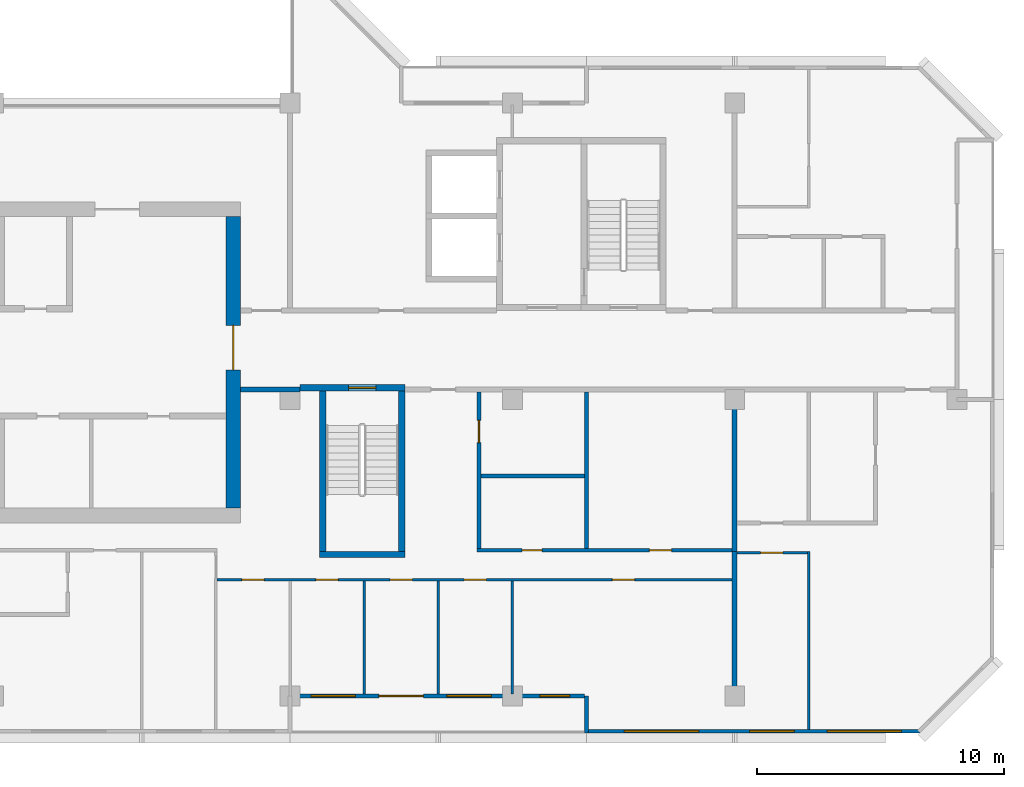
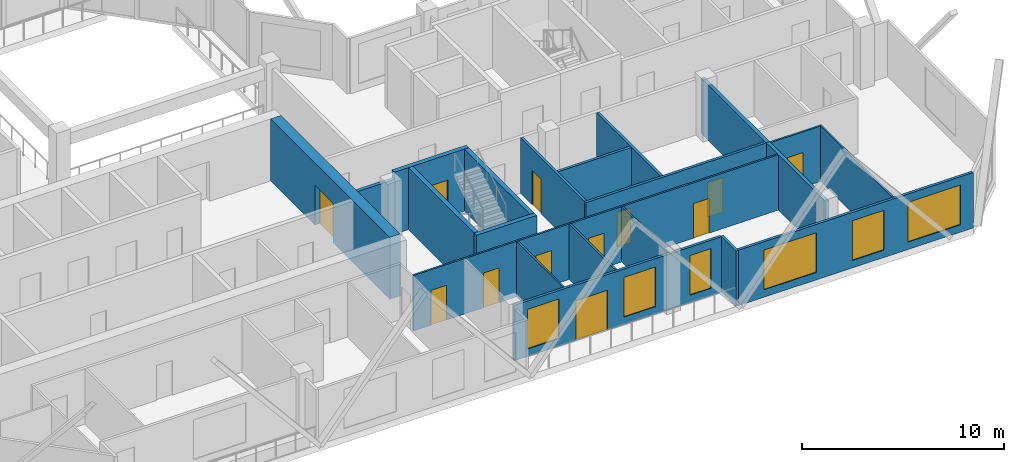
# One storey, part 6 of 13: 21 walls, 12 doors, 6 windows, 18 openings.
"""IFC4 building model written with IfcOpenShell, lengths in metres."""

from ifc_helpers import new_model, si_unit, direction, frame, frame_2d, origin, place, context, subcontext, project, spatial, rectangle, extrude, material, layer, layer_set, type_object, element, fill, save


model = new_model("IFC4")

# Units and contexts
model_context = context("Model", 3, precision=1e-05, world=origin(), true_north=direction((0.0, 1.0)))
body_context = subcontext(model_context, "Body", "Model", "MODEL_VIEW")
ifc_project = project(units=[si_unit("LENGTHUNIT", "METRE"), si_unit("AREAUNIT", "SQUARE_METRE"), si_unit("VOLUMEUNIT", "CUBIC_METRE"), si_unit("PLANEANGLEUNIT", "RADIAN"), si_unit("MASSUNIT", "GRAM", prefix="KILO")], contexts=[model_context])

# Site, building, storey
site_placement = place(None, origin())
site = spatial("IfcSite", under=ifc_project, at=site_placement, CompositionType="ELEMENT")
building_placement = place(site_placement, origin())
building = spatial("IfcBuilding", under=site, at=building_placement, Name="Chenar Terraces", CompositionType="ELEMENT")
storey_placement = place(building_placement, frame((0.0, 0.0, 295.89990234375)))
storey = spatial("IfcBuildingStorey", under=building, at=storey_placement, Name="L69", CompositionType="ELEMENT", Elevation=295.89990234375)

# Wall
ifc_material_1 = material(Name="Concrete C50/60", Category="concrete")
ifc_layer_1 = layer(ifc_material_1, 0.25)
ifc_layer_set_1 = layer_set([ifc_layer_1], Name="Concrete C50/60")
wall_type_1 = type_object("IfcWallType", Name="Core wall 250 Concrete C50/60", PredefinedType="SHEAR", material=ifc_layer_set_1)
wall_1_placement = place(storey_placement, frame((37.199951171875, 5.72509765625, 0.0), z_axis=(0.0, 0.0, 1.0), x_axis=(1.0, 0.0, 0.0)))
element("IfcWall", 1, at=wall_1_placement, inside=storey, type_object=wall_type_1, Name="Core wall ST2_S L69", PredefinedType="SHEAR", context=body_context, shape_type="SweptSolid", body=[
    extrude(rectangle(XDim=3.449951171875, YDim=0.25, at=frame_2d((1.72509765625, 0.0))), origin(), (0.0, 0.0, 1.0), 3.75),
])

# Wall, opening, door
wall_2_placement = place(storey_placement, frame((36.39990234375, 12.47509765625, 0.0), z_axis=(0.0, 0.0, 1.0), x_axis=(1.0, 0.0, 0.0)))
wall_2 = element("IfcWall", 2, at=wall_2_placement, inside=storey, type_object=wall_type_1, Name="Core wall ST2_N L69", PredefinedType="SHEAR", context=body_context, shape_type="SweptSolid", body=[
    extrude(rectangle(XDim=4.25, YDim=0.25, at=frame_2d((2.125, 0.0))), origin(), (0.0, 0.0, 1.0), 3.75),
])
opening_1_placement = place(wall_2_placement, frame((1.97509765625, 0.0, 0.0)))
opening_1 = element("IfcOpeningElement", 3, at=opening_1_placement, cuts=wall_2, Name="Opening DL69-C7", PredefinedType="OPENING", context=body_context, shape_type="SweptSolid", body=[
    extrude(rectangle(XDim=1.10009765625, YDim=2.199951171875, at=frame_2d((0.550048828125, 1.10009765625))), frame((0.0, 0.135009765625, 0.0), z_axis=(0.0, -1.0, 0.0), x_axis=(1.0, 0.0, 0.0)), (0.0, 0.0, 1.0), 0.27001953125),
])
ifc_material_2 = material(Name="Steel-framed fire-resisting door leaf", Category="steel")
door_type_1 = type_object("IfcDoorType", Name="Stair fire door FD60 1100 x 2200", OperationType="SINGLE_SWING_LEFT", PredefinedType="DOOR", material=ifc_material_2)
door_1_placement = place(opening_1_placement, frame((1.10009765625, 0.0, 0.0), z_axis=(0.0, 0.0, 1.0), x_axis=(-1.0, 0.0, 0.0)))
door_1 = element("IfcDoor", 4, at=door_1_placement, inside=storey, type_object=door_type_1, Name="Stair door DL69-C7", OperationType="SINGLE_SWING_LEFT", OverallHeight=2.199951171875, OverallWidth=1.10009765625, PredefinedType="DOOR", context=body_context, shape_type="SweptSolid", body=[
    extrude(rectangle(XDim=1.10009765625, YDim=2.199951171875, at=frame_2d((0.550048828125, 1.10009765625))), frame((0.0, 0.02490234375, 0.0), z_axis=(0.0, -1.0, 0.0), x_axis=(1.0, 0.0, 0.0)), (0.0, 0.0, 1.0), 0.050048828125),
])
fill(opening_1, door_1)

# Walls
for number, where, z_axis, x_axis, name in (
    (5, (37.324951171875, 5.85009765625, 0.0), (0.0, 0.0, 1.0), (0.0, 1.0, 0.0), "Core wall ST2_W L69"),
    (6, (40.52490234375, 5.85009765625, 0.0), (0.0, 0.0, 1.0), (0.0, 1.0, 0.0), "Core wall ST2_E L69"),
):
    element("IfcWall", number, at=place(storey_placement, frame(where, z_axis=z_axis, x_axis=x_axis)), inside=storey, type_object=wall_type_1, Name=name, PredefinedType="SHEAR", context=body_context, shape_type="SweptSolid", body=[
        extrude(rectangle(XDim=6.5, YDim=0.25, at=frame_2d((3.25, 0.0))), origin(), (0.0, 0.0, 1.0), 3.75),
    ])

# Wall, opening, door
ifc_material_3 = material(Name="Concrete C50/60", Category="concrete")
ifc_layer_2 = layer(ifc_material_3, 0.60009765625)
ifc_layer_set_2 = layer_set([ifc_layer_2], Name="Concrete C50/60")
wall_type_2 = type_object("IfcWallType", Name="Core wall 600 Concrete C50/60", PredefinedType="SHEAR", material=ifc_layer_set_2)
wall_3_placement = place(storey_placement, frame((33.699951171875, 7.60009765625, 0.0), z_axis=(0.0, 0.0, 1.0), x_axis=(0.0, 1.0, 0.0)))
wall_3 = element("IfcWall", 7, at=wall_3_placement, inside=storey, type_object=wall_type_2, Name="Core wall E L69", PredefinedType="SHEAR", context=body_context, shape_type="SweptSolid", body=[
    extrude(rectangle(XDim=11.7998046875, YDim=0.60009765625, at=frame_2d((5.89990234375, 0.0))), origin(), (0.0, 0.0, 1.0), 3.75),
])
opening_2_placement = place(wall_3_placement, frame((5.60009765625, 0.0, 0.0)))
opening_2 = element("IfcOpeningElement", 8, at=opening_2_placement, cuts=wall_3, Name="Opening DL69-C1", PredefinedType="OPENING", context=body_context, shape_type="SweptSolid", body=[
    extrude(rectangle(XDim=1.800048828125, YDim=2.39990234375, at=frame_2d((0.89990234375, 1.199951171875))), frame((0.0, 0.31005859375, 0.0), z_axis=(0.0, -1.0, 0.0), x_axis=(1.0, 0.0, 0.0)), (0.0, 0.0, 1.0), 0.6201171875),
])
ifc_material_4 = material(Name="Steel-framed fire-resisting door leaf", Category="steel")
door_type_2 = type_object("IfcDoorType", Name="Core entrance double fire door FD60 1800 x 2400", OperationType="DOUBLE_DOOR_SINGLE_SWING", PredefinedType="DOOR", material=ifc_material_4)
door_2_placement = place(opening_2_placement, origin())
door_2 = element("IfcDoor", 9, at=door_2_placement, inside=storey, type_object=door_type_2, Name="Core door DL69-C1", OperationType="DOUBLE_DOOR_SINGLE_SWING", OverallHeight=2.39990234375, OverallWidth=1.800048828125, PredefinedType="DOOR", context=body_context, shape_type="SweptSolid", body=[
    extrude(rectangle(XDim=1.800048828125, YDim=2.39990234375, at=frame_2d((0.89990234375, 1.199951171875))), frame((0.0, 0.02490234375, 0.0), z_axis=(0.0, -1.0, 0.0), x_axis=(1.0, 0.0, 0.0)), (0.0, 0.0, 1.0), 0.050048828125),
])
fill(opening_2, door_2)

# Wall
ifc_material_5 = material(Name="Gypsum board on steel studs with fire boards", Category="steel")
ifc_layer_3 = layer(ifc_material_5, 0.199951171875)
ifc_layer_set_3 = layer_set([ifc_layer_3], Name="Gypsum board on steel studs with fire boards")
wall_type_3 = type_object("IfcWallType", Name="Corridor wall 200", PredefinedType="PARTITIONING", material=ifc_layer_set_3)
wall_4_placement = place(storey_placement, frame((34.0, 12.39990234375, 0.0), z_axis=(0.0, 0.0, 1.0), x_axis=(1.0, 0.0, 0.0)))
element("IfcWall", 10, at=wall_4_placement, inside=storey, type_object=wall_type_3, Name="Partition L69-051", PredefinedType="PARTITIONING", context=body_context, shape_type="SweptSolid", body=[
    extrude(rectangle(XDim=2.40087890625, YDim=0.199951171875, at=frame_2d((1.200439453125, 0.0))), origin(), (0.0, 0.0, 1.0), 3.35009765625),
])

# Wall, openings, windows
ifc_material_6 = material(Name="Aluminium framed glazing", Category="aluminium")
ifc_layer_4 = layer(ifc_material_6, 0.14990234375)
ifc_layer_set_4 = layer_set([ifc_layer_4], Name="Aluminium framed glazing")
wall_type_4 = type_object("IfcWallType", Name="Glazed flush facade wall 150", PredefinedType="SOLIDWALL", material=ifc_layer_set_4)
wall_5_placement = place(storey_placement, frame((48.074951171875, -1.425048828125, 0.0), z_axis=(0.0, 0.0, 1.0), x_axis=(1.0, 0.0, 0.0)))
wall_5 = element("IfcWall", 11, at=wall_5_placement, inside=storey, type_object=wall_type_4, Name="Glazed flush facade wall", PredefinedType="SOLIDWALL", context=body_context, shape_type="SweptSolid", body=[
    extrude(rectangle(XDim=13.425048828125, YDim=0.14990234375, at=frame_2d((6.71240234375, 0.0))), origin(), (0.0, 0.0, 1.0), 3.35009765625),
])
opening_3_placement = place(wall_5_placement, frame((1.46240234375, 0.0, 0.449951171875)))
opening_3 = element("IfcOpeningElement", 12, at=opening_3_placement, cuts=wall_5, Name="Opening W300x240", PredefinedType="OPENING", context=body_context, shape_type="SweptSolid", body=[
    extrude(rectangle(XDim=3.0, YDim=2.39990234375, at=frame_2d((1.5, 1.199951171875))), frame((0.0, 0.0849609375, 0.0), z_axis=(0.0, -1.0, 0.0), x_axis=(1.0, 0.0, 0.0)), (0.0, 0.0, 1.0), 0.169921875),
])
opening_4_placement = place(wall_5_placement, frame((6.52490234375, 0.0, 0.449951171875)))
opening_4 = element("IfcOpeningElement", 13, at=opening_4_placement, cuts=wall_5, Name="Opening W180x240", PredefinedType="OPENING", context=body_context, shape_type="SweptSolid", body=[
    extrude(rectangle(XDim=1.800048828125, YDim=2.39990234375, at=frame_2d((0.89990234375, 1.199951171875))), frame((0.0, 0.0849609375, 0.0), z_axis=(0.0, -1.0, 0.0), x_axis=(1.0, 0.0, 0.0)), (0.0, 0.0, 1.0), 0.169921875),
])
opening_5_placement = place(wall_5_placement, frame((9.675048828125, 0.0, 0.449951171875)))
opening_5 = element("IfcOpeningElement", 14, at=opening_5_placement, cuts=wall_5, Name="Opening W300x240", PredefinedType="OPENING", context=body_context, shape_type="SweptSolid", body=[
    extrude(rectangle(XDim=3.0, YDim=2.39990234375, at=frame_2d((1.5, 1.199951171875))), frame((0.0, 0.0849609375, 0.0), z_axis=(0.0, -1.0, 0.0), x_axis=(1.0, 0.0, 0.0)), (0.0, 0.0, 1.0), 0.169921875),
])
ifc_material_7 = material(Name="Low emissivity double glazing, aluminium frame", Category="aluminium")
window_type_1 = type_object("IfcWindowType", Name="Fixed light 1800 x 2400", PartitioningType="SINGLE_PANEL", PredefinedType="WINDOW", material=ifc_material_7)
window_1_placement = place(opening_4_placement, origin())
window_1 = element("IfcWindow", 15, at=window_1_placement, inside=storey, type_object=window_type_1, Name="Window", OverallHeight=2.39990234375, OverallWidth=1.800048828125, PartitioningType="SINGLE_PANEL", PredefinedType="WINDOW", context=body_context, shape_type="SweptSolid", body=[
    extrude(rectangle(XDim=1.800048828125, YDim=2.39990234375, at=frame_2d((0.89990234375, 1.199951171875))), frame((0.0, 0.030029296875, 0.0), z_axis=(0.0, -1.0, 0.0), x_axis=(1.0, 0.0, 0.0)), (0.0, 0.0, 1.0), 0.06005859375),
])
fill(opening_4, window_1)
ifc_material_8 = material(Name="Low emissivity double glazing, aluminium frame", Category="aluminium")
window_type_2 = type_object("IfcWindowType", Name="Fixed light 3000 x 2400", PartitioningType="SINGLE_PANEL", PredefinedType="WINDOW", material=ifc_material_8)
window_2_placement = place(opening_3_placement, origin())
window_2 = element("IfcWindow", 16, at=window_2_placement, inside=storey, type_object=window_type_2, Name="Window", OverallHeight=2.39990234375, OverallWidth=3.0, PartitioningType="SINGLE_PANEL", PredefinedType="WINDOW", context=body_context, shape_type="SweptSolid", body=[
    extrude(rectangle(XDim=3.0, YDim=2.39990234375, at=frame_2d((1.5, 1.199951171875))), frame((0.0, 0.030029296875, 0.0), z_axis=(0.0, -1.0, 0.0), x_axis=(1.0, 0.0, 0.0)), (0.0, 0.0, 1.0), 0.06005859375),
])
fill(opening_3, window_2)
window_3_placement = place(opening_5_placement, origin())
window_3 = element("IfcWindow", 17, at=window_3_placement, inside=storey, type_object=window_type_2, Name="Window", OverallHeight=2.39990234375, OverallWidth=3.0, PartitioningType="SINGLE_PANEL", PredefinedType="WINDOW", context=body_context, shape_type="SweptSolid", body=[
    extrude(rectangle(XDim=3.0, YDim=2.39990234375, at=frame_2d((1.5, 1.199951171875))), frame((0.0, 0.030029296875, 0.0), z_axis=(0.0, -1.0, 0.0), x_axis=(1.0, 0.0, 0.0)), (0.0, 0.0, 1.0), 0.06005859375),
])
fill(opening_5, window_3)

# Wall, openings, windows, door
ifc_material_9 = material(Name="Aluminium framed glazing", Category="aluminium")
ifc_layer_5 = layer(ifc_material_9, 0.14990234375)
ifc_layer_set_5 = layer_set([ifc_layer_5], Name="Aluminium framed glazing")
wall_type_5 = type_object("IfcWallType", Name="Glazed loggia back wall 150", PredefinedType="SOLIDWALL", material=ifc_layer_set_5)
wall_6_placement = place(storey_placement, frame((36.074951171875, 0.0, 0.0), z_axis=(0.0, 0.0, 1.0), x_axis=(1.0, 0.0, 0.0)))
wall_6 = element("IfcWall", 18, at=wall_6_placement, inside=storey, type_object=wall_type_5, Name="Glazed loggia back wall", PredefinedType="SOLIDWALL", context=body_context, shape_type="SweptSolid", body=[
    extrude(rectangle(XDim=11.85009765625, YDim=0.14990234375, at=frame_2d((5.925048828125, 0.0))), origin(), (0.0, 0.0, 1.0), 3.35009765625),
])
opening_6_placement = place(wall_6_placement, frame((0.77490234375, 0.0, 0.449951171875)))
opening_6 = element("IfcOpeningElement", 19, at=opening_6_placement, cuts=wall_6, Name="Opening W180x240", PredefinedType="OPENING", context=body_context, shape_type="SweptSolid", body=[
    extrude(rectangle(XDim=1.800048828125, YDim=2.39990234375, at=frame_2d((0.89990234375, 1.199951171875))), frame((0.0, 0.0849609375, 0.0), z_axis=(0.0, -1.0, 0.0), x_axis=(1.0, 0.0, 0.0)), (0.0, 0.0, 1.0), 0.169921875),
])
opening_7_placement = place(wall_6_placement, frame((3.52490234375, 0.0, 0.0)))
opening_7 = element("IfcOpeningElement", 20, at=opening_7_placement, cuts=wall_6, Name="Opening DL69-G5", PredefinedType="OPENING", context=body_context, shape_type="SweptSolid", body=[
    extrude(rectangle(XDim=1.800048828125, YDim=2.39990234375, at=frame_2d((0.89990234375, 1.199951171875))), frame((0.0, 0.0849609375, 0.0), z_axis=(0.0, -1.0, 0.0), x_axis=(1.0, 0.0, 0.0)), (0.0, 0.0, 1.0), 0.169921875),
])
opening_8_placement = place(wall_6_placement, frame((6.27490234375, 0.0, 0.449951171875)))
opening_8 = element("IfcOpeningElement", 21, at=opening_8_placement, cuts=wall_6, Name="Opening W180x240", PredefinedType="OPENING", context=body_context, shape_type="SweptSolid", body=[
    extrude(rectangle(XDim=1.800048828125, YDim=2.39990234375, at=frame_2d((0.89990234375, 1.199951171875))), frame((0.0, 0.0849609375, 0.0), z_axis=(0.0, -1.0, 0.0), x_axis=(1.0, 0.0, 0.0)), (0.0, 0.0, 1.0), 0.169921875),
])
opening_9_placement = place(wall_6_placement, frame((10.03759765625, 0.0, 0.449951171875)))
opening_9 = element("IfcOpeningElement", 22, at=opening_9_placement, cuts=wall_6, Name="Opening W120x240", PredefinedType="OPENING", context=body_context, shape_type="SweptSolid", body=[
    extrude(rectangle(XDim=1.199951171875, YDim=2.39990234375, at=frame_2d((0.60009765625, 1.199951171875))), frame((0.0, 0.0849609375, 0.0), z_axis=(0.0, -1.0, 0.0), x_axis=(1.0, 0.0, 0.0)), (0.0, 0.0, 1.0), 0.169921875),
])
ifc_material_10 = material(Name="Low emissivity double glazing, aluminium frame", Category="aluminium")
window_type_3 = type_object("IfcWindowType", Name="Fixed light 1200 x 2400", PartitioningType="SINGLE_PANEL", PredefinedType="WINDOW", material=ifc_material_10)
window_4_placement = place(opening_9_placement, origin())
window_4 = element("IfcWindow", 23, at=window_4_placement, inside=storey, type_object=window_type_3, Name="Window", OverallHeight=2.39990234375, OverallWidth=1.199951171875, PartitioningType="SINGLE_PANEL", PredefinedType="WINDOW", context=body_context, shape_type="SweptSolid", body=[
    extrude(rectangle(XDim=1.199951171875, YDim=2.39990234375, at=frame_2d((0.60009765625, 1.199951171875))), frame((0.0, 0.030029296875, 0.0), z_axis=(0.0, -1.0, 0.0), x_axis=(1.0, 0.0, 0.0)), (0.0, 0.0, 1.0), 0.06005859375),
])
fill(opening_9, window_4)
window_5_placement = place(opening_6_placement, origin())
window_5 = element("IfcWindow", 24, at=window_5_placement, inside=storey, type_object=window_type_1, Name="Window", OverallHeight=2.39990234375, OverallWidth=1.800048828125, PartitioningType="SINGLE_PANEL", PredefinedType="WINDOW", context=body_context, shape_type="SweptSolid", body=[
    extrude(rectangle(XDim=1.800048828125, YDim=2.39990234375, at=frame_2d((0.89990234375, 1.199951171875))), frame((0.0, 0.030029296875, 0.0), z_axis=(0.0, -1.0, 0.0), x_axis=(1.0, 0.0, 0.0)), (0.0, 0.0, 1.0), 0.06005859375),
])
fill(opening_6, window_5)
window_6_placement = place(opening_8_placement, origin())
window_6 = element("IfcWindow", 25, at=window_6_placement, inside=storey, type_object=window_type_1, Name="Window", OverallHeight=2.39990234375, OverallWidth=1.800048828125, PartitioningType="SINGLE_PANEL", PredefinedType="WINDOW", context=body_context, shape_type="SweptSolid", body=[
    extrude(rectangle(XDim=1.800048828125, YDim=2.39990234375, at=frame_2d((0.89990234375, 1.199951171875))), frame((0.0, 0.030029296875, 0.0), z_axis=(0.0, -1.0, 0.0), x_axis=(1.0, 0.0, 0.0)), (0.0, 0.0, 1.0), 0.06005859375),
])
fill(opening_8, window_6)
ifc_material_11 = material(Name="Low emissivity double glazing, aluminium frame", Category="aluminium")
door_type_3 = type_object("IfcDoorType", Name="Loggia glazed double door 1800 x 2400", OperationType="DOUBLE_DOOR_SINGLE_SWING", PredefinedType="DOOR", material=ifc_material_11)
door_3_placement = place(opening_7_placement, frame((1.800048828125, 0.0, 0.0), z_axis=(0.0, 0.0, 1.0), x_axis=(-1.0, 0.0, 0.0)))
door_3 = element("IfcDoor", 26, at=door_3_placement, inside=storey, type_object=door_type_3, Name="Loggia glazed door", OperationType="DOUBLE_DOOR_SINGLE_SWING", OverallHeight=2.39990234375, OverallWidth=1.800048828125, PredefinedType="DOOR", context=body_context, shape_type="SweptSolid", body=[
    extrude(rectangle(XDim=1.800048828125, YDim=2.39990234375, at=frame_2d((0.89990234375, 1.199951171875))), frame((0.0, 0.02490234375, 0.0), z_axis=(0.0, -1.0, 0.0), x_axis=(1.0, 0.0, 0.0)), (0.0, 0.0, 1.0), 0.050048828125),
])
fill(opening_7, door_3)

# Wall, openings, doors
ifc_material_12 = material(Name="Gypsum board on steel studs", Category="steel")
ifc_layer_6 = layer(ifc_material_12, 0.10009765625)
ifc_layer_set_6 = layer_set([ifc_layer_6], Name="Gypsum board on steel studs")
wall_type_6 = type_object("IfcWallType", Name="Gypsum partition 100", PredefinedType="PARTITIONING", material=ifc_layer_set_6)
wall_7_placement = place(storey_placement, frame((33.050048828125, 4.699951171875, 0.0), z_axis=(0.0, 0.0, 1.0), x_axis=(1.0, 0.0, 0.0)))
wall_7 = element("IfcWall", 27, at=wall_7_placement, inside=storey, type_object=wall_type_6, Name="Partition L69-050", PredefinedType="PARTITIONING", context=body_context, shape_type="SweptSolid", body=[
    extrude(rectangle(XDim=20.849853515625, YDim=0.10009765625, at=frame_2d((10.4248046875, 0.0))), origin(), (0.0, 0.0, 1.0), 3.35009765625),
])
opening_10_placement = place(wall_7_placement, frame((1.0, 0.0, 0.0)))
opening_10 = element("IfcOpeningElement", 28, at=opening_10_placement, cuts=wall_7, Name="Opening DL69-35", PredefinedType="OPENING", context=body_context, shape_type="SweptSolid", body=[
    extrude(rectangle(XDim=0.89990234375, YDim=2.10009765625, at=frame_2d((0.449951171875, 1.050048828125))), frame((0.0, 0.06005859375, 0.0), z_axis=(0.0, -1.0, 0.0), x_axis=(1.0, 0.0, 0.0)), (0.0, 0.0, 1.0), 0.1201171875),
])
opening_11_placement = place(wall_7_placement, frame((4.0, 0.0, 0.0)))
opening_11 = element("IfcOpeningElement", 29, at=opening_11_placement, cuts=wall_7, Name="Opening DL69-36", PredefinedType="OPENING", context=body_context, shape_type="SweptSolid", body=[
    extrude(rectangle(XDim=0.89990234375, YDim=2.10009765625, at=frame_2d((0.449951171875, 1.050048828125))), frame((0.0, 0.06005859375, 0.0), z_axis=(0.0, -1.0, 0.0), x_axis=(1.0, 0.0, 0.0)), (0.0, 0.0, 1.0), 0.1201171875),
])
opening_12_placement = place(wall_7_placement, frame((7.0, 0.0, 0.0)))
opening_12 = element("IfcOpeningElement", 30, at=opening_12_placement, cuts=wall_7, Name="Opening DL69-37", PredefinedType="OPENING", context=body_context, shape_type="SweptSolid", body=[
    extrude(rectangle(XDim=0.89990234375, YDim=2.10009765625, at=frame_2d((0.449951171875, 1.050048828125))), frame((0.0, 0.06005859375, 0.0), z_axis=(0.0, -1.0, 0.0), x_axis=(1.0, 0.0, 0.0)), (0.0, 0.0, 1.0), 0.1201171875),
])
opening_13_placement = place(wall_7_placement, frame((10.0, 0.0, 0.0)))
opening_13 = element("IfcOpeningElement", 31, at=opening_13_placement, cuts=wall_7, Name="Opening DL69-38", PredefinedType="OPENING", context=body_context, shape_type="SweptSolid", body=[
    extrude(rectangle(XDim=0.89990234375, YDim=2.10009765625, at=frame_2d((0.449951171875, 1.050048828125))), frame((0.0, 0.06005859375, 0.0), z_axis=(0.0, -1.0, 0.0), x_axis=(1.0, 0.0, 0.0)), (0.0, 0.0, 1.0), 0.1201171875),
])
opening_14_placement = place(wall_7_placement, frame((16.0, 0.0, 0.0)))
opening_14 = element("IfcOpeningElement", 32, at=opening_14_placement, cuts=wall_7, Name="Opening DL69-46", PredefinedType="OPENING", context=body_context, shape_type="SweptSolid", body=[
    extrude(rectangle(XDim=0.89990234375, YDim=2.10009765625, at=frame_2d((0.449951171875, 1.050048828125))), frame((0.0, 0.06005859375, 0.0), z_axis=(0.0, -1.0, 0.0), x_axis=(1.0, 0.0, 0.0)), (0.0, 0.0, 1.0), 0.1201171875),
])
ifc_material_13 = material(Name="Veneered timber door leaf", Category="wood")
door_type_4 = type_object("IfcDoorType", Name="Door 900 x 2100", OperationType="SINGLE_SWING_LEFT", PredefinedType="DOOR", material=ifc_material_13)
door_4_placement = place(opening_10_placement, frame((0.89990234375, 0.0, 0.0), z_axis=(0.0, 0.0, 1.0), x_axis=(-1.0, 0.0, 0.0)))
door_4 = element("IfcDoor", 33, at=door_4_placement, inside=storey, type_object=door_type_4, Name="Door DL69-35", OperationType="SINGLE_SWING_LEFT", OverallHeight=2.10009765625, OverallWidth=0.89990234375, PredefinedType="DOOR", context=body_context, shape_type="SweptSolid", body=[
    extrude(rectangle(XDim=0.89990234375, YDim=2.10009765625, at=frame_2d((0.449951171875, 1.050048828125))), frame((0.0, 0.02490234375, 0.0), z_axis=(0.0, -1.0, 0.0), x_axis=(1.0, 0.0, 0.0)), (0.0, 0.0, 1.0), 0.050048828125),
])
fill(opening_10, door_4)
door_5_placement = place(opening_11_placement, frame((0.89990234375, 0.0, 0.0), z_axis=(0.0, 0.0, 1.0), x_axis=(-1.0, 0.0, 0.0)))
door_5 = element("IfcDoor", 34, at=door_5_placement, inside=storey, type_object=door_type_4, Name="Door DL69-36", OperationType="SINGLE_SWING_LEFT", OverallHeight=2.10009765625, OverallWidth=0.89990234375, PredefinedType="DOOR", context=body_context, shape_type="SweptSolid", body=[
    extrude(rectangle(XDim=0.89990234375, YDim=2.10009765625, at=frame_2d((0.449951171875, 1.050048828125))), frame((0.0, 0.02490234375, 0.0), z_axis=(0.0, -1.0, 0.0), x_axis=(1.0, 0.0, 0.0)), (0.0, 0.0, 1.0), 0.050048828125),
])
fill(opening_11, door_5)
door_6_placement = place(opening_12_placement, frame((0.89990234375, 0.0, 0.0), z_axis=(0.0, 0.0, 1.0), x_axis=(-1.0, 0.0, 0.0)))
door_6 = element("IfcDoor", 35, at=door_6_placement, inside=storey, type_object=door_type_4, Name="Door DL69-37", OperationType="SINGLE_SWING_LEFT", OverallHeight=2.10009765625, OverallWidth=0.89990234375, PredefinedType="DOOR", context=body_context, shape_type="SweptSolid", body=[
    extrude(rectangle(XDim=0.89990234375, YDim=2.10009765625, at=frame_2d((0.449951171875, 1.050048828125))), frame((0.0, 0.02490234375, 0.0), z_axis=(0.0, -1.0, 0.0), x_axis=(1.0, 0.0, 0.0)), (0.0, 0.0, 1.0), 0.050048828125),
])
fill(opening_12, door_6)
door_7_placement = place(opening_13_placement, frame((0.89990234375, 0.0, 0.0), z_axis=(0.0, 0.0, 1.0), x_axis=(-1.0, 0.0, 0.0)))
door_7 = element("IfcDoor", 36, at=door_7_placement, inside=storey, type_object=door_type_4, Name="Door DL69-38", OperationType="SINGLE_SWING_LEFT", OverallHeight=2.10009765625, OverallWidth=0.89990234375, PredefinedType="DOOR", context=body_context, shape_type="SweptSolid", body=[
    extrude(rectangle(XDim=0.89990234375, YDim=2.10009765625, at=frame_2d((0.449951171875, 1.050048828125))), frame((0.0, 0.02490234375, 0.0), z_axis=(0.0, -1.0, 0.0), x_axis=(1.0, 0.0, 0.0)), (0.0, 0.0, 1.0), 0.050048828125),
])
fill(opening_13, door_7)
door_8_placement = place(opening_14_placement, frame((0.89990234375, 0.0, 0.0), z_axis=(0.0, 0.0, 1.0), x_axis=(-1.0, 0.0, 0.0)))
door_8 = element("IfcDoor", 37, at=door_8_placement, inside=storey, type_object=door_type_4, Name="Door DL69-46", OperationType="SINGLE_SWING_LEFT", OverallHeight=2.10009765625, OverallWidth=0.89990234375, PredefinedType="DOOR", context=body_context, shape_type="SweptSolid", body=[
    extrude(rectangle(XDim=0.89990234375, YDim=2.10009765625, at=frame_2d((0.449951171875, 1.050048828125))), frame((0.0, 0.02490234375, 0.0), z_axis=(0.0, -1.0, 0.0), x_axis=(1.0, 0.0, 0.0)), (0.0, 0.0, 1.0), 0.050048828125),
])
fill(opening_14, door_8)

# Walls
for number, where, z_axis, x_axis, name in (
    (38, (39.0, 0.073974609375, 0.0), (0.0, 0.0, 1.0), (0.0, 1.0, 0.0), "Partition L69-055"),
    (39, (42.0, 0.073974609375, 0.0), (0.0, 0.0, 1.0), (0.0, 1.0, 0.0), "Partition L69-057"),
    (40, (45.0, 0.073974609375, 0.0), (0.0, 0.0, 1.0), (0.0, 1.0, 0.0), "Partition L69-061"),
):
    element("IfcWall", number, at=place(storey_placement, frame(where, z_axis=z_axis, x_axis=x_axis)), inside=storey, type_object=wall_type_6, Name=name, PredefinedType="PARTITIONING", context=body_context, shape_type="SweptSolid", body=[
        extrude(rectangle(XDim=4.575927734375, YDim=0.10009765625, at=frame_2d((2.2880859375, 0.0))), origin(), (0.0, 0.0, 1.0), 3.35009765625),
    ])

# Wall, opening, door
wall_8_placement = place(storey_placement, frame((54.10009765625, 5.800048828125, 0.0), z_axis=(0.0, 0.0, 1.0), x_axis=(1.0, 0.0, 0.0)))
wall_8 = element("IfcWall", 41, at=wall_8_placement, inside=storey, type_object=wall_type_6, Name="Partition L69-068", PredefinedType="PARTITIONING", context=body_context, shape_type="SweptSolid", body=[
    extrude(rectangle(XDim=2.849853515625, YDim=0.10009765625, at=frame_2d((1.4248046875, 0.0))), origin(), (0.0, 0.0, 1.0), 3.35009765625),
])
opening_15_placement = place(wall_8_placement, frame((0.949951171875, 0.0, 0.0)))
opening_15 = element("IfcOpeningElement", 42, at=opening_15_placement, cuts=wall_8, Name="Opening DL69-9", PredefinedType="OPENING", context=body_context, shape_type="SweptSolid", body=[
    extrude(rectangle(XDim=0.89990234375, YDim=2.10009765625, at=frame_2d((0.449951171875, 1.050048828125))), frame((0.0, 0.06005859375, 0.0), z_axis=(0.0, -1.0, 0.0), x_axis=(1.0, 0.0, 0.0)), (0.0, 0.0, 1.0), 0.1201171875),
])
door_9_placement = place(opening_15_placement, frame((0.89990234375, 0.0, 0.0), z_axis=(0.0, 0.0, 1.0), x_axis=(-1.0, 0.0, 0.0)))
door_9 = element("IfcDoor", 43, at=door_9_placement, inside=storey, type_object=door_type_4, Name="Door DL69-9", OperationType="SINGLE_SWING_LEFT", OverallHeight=2.10009765625, OverallWidth=0.89990234375, PredefinedType="DOOR", context=body_context, shape_type="SweptSolid", body=[
    extrude(rectangle(XDim=0.89990234375, YDim=2.10009765625, at=frame_2d((0.449951171875, 1.050048828125))), frame((0.0, 0.02490234375, 0.0), z_axis=(0.0, -1.0, 0.0), x_axis=(1.0, 0.0, 0.0)), (0.0, 0.0, 1.0), 0.050048828125),
])
fill(opening_15, door_9)

# Walls
wall_9_placement = place(storey_placement, frame((57.0, -1.35009765625, 0.0), z_axis=(0.0, 0.0, 1.0), x_axis=(0.0, 1.0, 0.0)))
element("IfcWall", 44, at=wall_9_placement, inside=storey, type_object=wall_type_6, Name="Partition L69-072", PredefinedType="PARTITIONING", context=body_context, shape_type="SweptSolid", body=[
    extrude(rectangle(XDim=7.2001953125, YDim=0.10009765625, at=frame_2d((3.60009765625, 0.0))), origin(), (0.0, 0.0, 1.0), 3.35009765625),
])
ifc_material_14 = material(Name="Terracotta cladding on insulated backing", Category="masonry")
ifc_layer_7 = layer(ifc_material_14, 0.14990234375)
ifc_layer_set_7 = layer_set([ifc_layer_7], Name="Terracotta cladding on insulated backing")
wall_type_7 = type_object("IfcWallType", Name="Loggia return wall 150", PredefinedType="SOLIDWALL", material=ifc_layer_set_7)
wall_10_placement = place(storey_placement, frame((48.0, -1.5, 0.0), z_axis=(0.0, 0.0, 1.0), x_axis=(0.0, 1.0, 0.0)))
element("IfcWall", 45, at=wall_10_placement, inside=storey, type_object=wall_type_7, Name="Loggia return wall", PredefinedType="SOLIDWALL", context=body_context, shape_type="SweptSolid", body=[
    extrude(rectangle(XDim=1.5, YDim=0.14990234375, at=frame_2d((0.75, 0.0))), origin(), (0.0, 0.0, 1.0), 3.35009765625),
])
ifc_material_15 = material(Name="Twin gypsum board on steel studs with mineral wool", Category="steel")
ifc_layer_8 = layer(ifc_material_15, 0.199951171875)
ifc_layer_set_8 = layer_set([ifc_layer_8], Name="Twin gypsum board on steel studs with mineral wool")
wall_type_8 = type_object("IfcWallType", Name="Unit demising wall 200", PredefinedType="PARTITIONING", material=ifc_layer_set_8)
wall_11_placement = place(storey_placement, frame((54.0, 0.0, 0.0), z_axis=(0.0, 0.0, 1.0), x_axis=(0.0, 1.0, 0.0)))
element("IfcWall", 46, at=wall_11_placement, inside=storey, type_object=wall_type_8, Name="Partition L69-065", PredefinedType="PARTITIONING", context=body_context, shape_type="SweptSolid", body=[
    extrude(rectangle(XDim=5.85009765625, YDim=0.199951171875, at=frame_2d((2.925048828125, 0.0))), origin(), (0.0, 0.0, 1.0), 3.35009765625),
])
wall_12_placement = place(storey_placement, frame((54.0, 5.824951171875, 0.0), z_axis=(0.0, 0.0, 1.0), x_axis=(0.0, 1.0, 0.0)))
element("IfcWall", 47, at=wall_12_placement, inside=storey, type_object=wall_type_8, Name="Partition L69-066", PredefinedType="PARTITIONING", context=body_context, shape_type="SweptSolid", body=[
    extrude(rectangle(XDim=6.47509765625, YDim=0.199951171875, at=frame_2d((3.237548828125, 0.0))), origin(), (0.0, 0.0, 1.0), 3.35009765625),
])

# Wall, openings, doors
ifc_material_16 = material(Name="Moisture-resistant gypsum board on steel studs", Category="steel")
ifc_layer_9 = layer(ifc_material_16, 0.14990234375)
ifc_layer_set_9 = layer_set([ifc_layer_9], Name="Moisture-resistant gypsum board on steel studs")
wall_type_9 = type_object("IfcWallType", Name="Wet-room partition 150", PredefinedType="PARTITIONING", material=ifc_layer_set_9)
wall_13_placement = place(storey_placement, frame((43.574951171875, 5.89990234375, 0.0), z_axis=(0.0, 0.0, 1.0), x_axis=(1.0, 0.0, 0.0)))
wall_13 = element("IfcWall", 48, at=wall_13_placement, inside=storey, type_object=wall_type_9, Name="Partition L69-058", PredefinedType="PARTITIONING", context=body_context, shape_type="SweptSolid", body=[
    extrude(rectangle(XDim=10.324951171875, YDim=0.14990234375, at=frame_2d((5.16259765625, 0.0))), origin(), (0.0, 0.0, 1.0), 3.35009765625),
])
opening_16_placement = place(wall_13_placement, frame((1.824951171875, 0.0, 0.0)))
opening_16 = element("IfcOpeningElement", 49, at=opening_16_placement, cuts=wall_13, Name="Opening DL69-32", PredefinedType="OPENING", context=body_context, shape_type="SweptSolid", body=[
    extrude(rectangle(XDim=0.800048828125, YDim=2.10009765625, at=frame_2d((0.39990234375, 1.050048828125))), frame((0.0, 0.0849609375, 0.0), z_axis=(0.0, -1.0, 0.0), x_axis=(1.0, 0.0, 0.0)), (0.0, 0.0, 1.0), 0.169921875),
])
opening_17_placement = place(wall_13_placement, frame((6.97509765625, 0.0, 0.0)))
opening_17 = element("IfcOpeningElement", 50, at=opening_17_placement, cuts=wall_13, Name="Opening DL69-47", PredefinedType="OPENING", context=body_context, shape_type="SweptSolid", body=[
    extrude(rectangle(XDim=0.89990234375, YDim=2.10009765625, at=frame_2d((0.449951171875, 1.050048828125))), frame((0.0, 0.0849609375, 0.0), z_axis=(0.0, -1.0, 0.0), x_axis=(1.0, 0.0, 0.0)), (0.0, 0.0, 1.0), 0.169921875),
])
ifc_material_17 = material(Name="Veneered timber door leaf", Category="wood")
door_type_5 = type_object("IfcDoorType", Name="Door 800 x 2100", OperationType="SINGLE_SWING_LEFT", PredefinedType="DOOR", material=ifc_material_17)
door_10_placement = place(opening_16_placement, origin())
door_10 = element("IfcDoor", 51, at=door_10_placement, inside=storey, type_object=door_type_5, Name="Door DL69-32", OperationType="SINGLE_SWING_RIGHT", OverallHeight=2.10009765625, OverallWidth=0.800048828125, PredefinedType="DOOR", context=body_context, shape_type="SweptSolid", body=[
    extrude(rectangle(XDim=0.800048828125, YDim=2.10009765625, at=frame_2d((0.39990234375, 1.050048828125))), frame((0.0, 0.02490234375, 0.0), z_axis=(0.0, -1.0, 0.0), x_axis=(1.0, 0.0, 0.0)), (0.0, 0.0, 1.0), 0.050048828125),
])
fill(opening_16, door_10)
door_11_placement = place(opening_17_placement, origin())
door_11 = element("IfcDoor", 52, at=door_11_placement, inside=storey, type_object=door_type_4, Name="Door DL69-47", OperationType="SINGLE_SWING_RIGHT", OverallHeight=2.10009765625, OverallWidth=0.89990234375, PredefinedType="DOOR", context=body_context, shape_type="SweptSolid", body=[
    extrude(rectangle(XDim=0.89990234375, YDim=2.10009765625, at=frame_2d((0.449951171875, 1.050048828125))), frame((0.0, 0.02490234375, 0.0), z_axis=(0.0, -1.0, 0.0), x_axis=(1.0, 0.0, 0.0)), (0.0, 0.0, 1.0), 0.050048828125),
])
fill(opening_17, door_11)

# Wall, opening, door
wall_14_placement = place(storey_placement, frame((43.64990234375, 5.97509765625, 0.0), z_axis=(0.0, 0.0, 1.0), x_axis=(0.0, 1.0, 0.0)))
wall_14 = element("IfcWall", 53, at=wall_14_placement, inside=storey, type_object=wall_type_9, Name="Partition L69-059", PredefinedType="PARTITIONING", context=body_context, shape_type="SweptSolid", body=[
    extrude(rectangle(XDim=6.324951171875, YDim=0.14990234375, at=frame_2d((3.16259765625, 0.0))), origin(), (0.0, 0.0, 1.0), 3.35009765625),
])
opening_18_placement = place(wall_14_placement, frame((4.27490234375, 0.0, 0.0)))
opening_18 = element("IfcOpeningElement", 54, at=opening_18_placement, cuts=wall_14, Name="Opening DL69-44", PredefinedType="OPENING", context=body_context, shape_type="SweptSolid", body=[
    extrude(rectangle(XDim=0.89990234375, YDim=2.10009765625, at=frame_2d((0.449951171875, 1.050048828125))), frame((0.0, 0.0849609375, 0.0), z_axis=(0.0, -1.0, 0.0), x_axis=(1.0, 0.0, 0.0)), (0.0, 0.0, 1.0), 0.169921875),
])
door_12_placement = place(opening_18_placement, frame((0.89990234375, 0.0, 0.0), z_axis=(0.0, 0.0, 1.0), x_axis=(-1.0, 0.0, 0.0)))
door_12 = element("IfcDoor", 55, at=door_12_placement, inside=storey, type_object=door_type_4, Name="Door DL69-44", OperationType="SINGLE_SWING_LEFT", OverallHeight=2.10009765625, OverallWidth=0.89990234375, PredefinedType="DOOR", context=body_context, shape_type="SweptSolid", body=[
    extrude(rectangle(XDim=0.89990234375, YDim=2.10009765625, at=frame_2d((0.449951171875, 1.050048828125))), frame((0.0, 0.02490234375, 0.0), z_axis=(0.0, -1.0, 0.0), x_axis=(1.0, 0.0, 0.0)), (0.0, 0.0, 1.0), 0.050048828125),
])
fill(opening_18, door_12)

# Walls
wall_15_placement = place(storey_placement, frame((43.72509765625, 8.89990234375, 0.0), z_axis=(0.0, 0.0, 1.0), x_axis=(1.0, 0.0, 0.0)))
element("IfcWall", 56, at=wall_15_placement, inside=storey, type_object=wall_type_9, Name="Partition L69-060", PredefinedType="PARTITIONING", context=body_context, shape_type="SweptSolid", body=[
    extrude(rectangle(XDim=4.199951171875, YDim=0.14990234375, at=frame_2d((2.10009765625, 0.0))), origin(), (0.0, 0.0, 1.0), 3.35009765625),
])
wall_16_placement = place(storey_placement, frame((48.0, 5.97509765625, 0.0), z_axis=(0.0, 0.0, 1.0), x_axis=(0.0, 1.0, 0.0)))
element("IfcWall", 57, at=wall_16_placement, inside=storey, type_object=wall_type_9, Name="Partition L69-063", PredefinedType="PARTITIONING", context=body_context, shape_type="SweptSolid", body=[
    extrude(rectangle(XDim=6.324951171875, YDim=0.14990234375, at=frame_2d((3.16259765625, 0.0))), origin(), (0.0, 0.0, 1.0), 3.35009765625),
])

save(model, "model.ifc")
